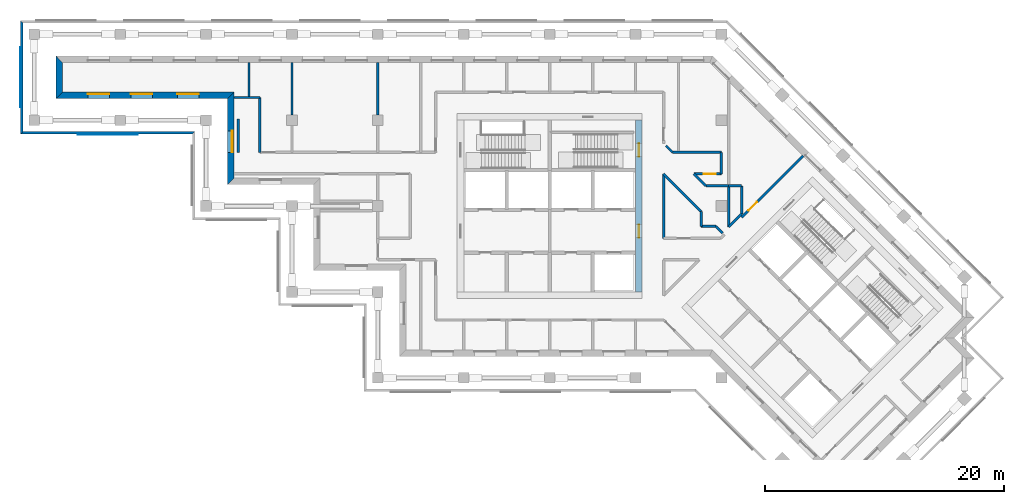
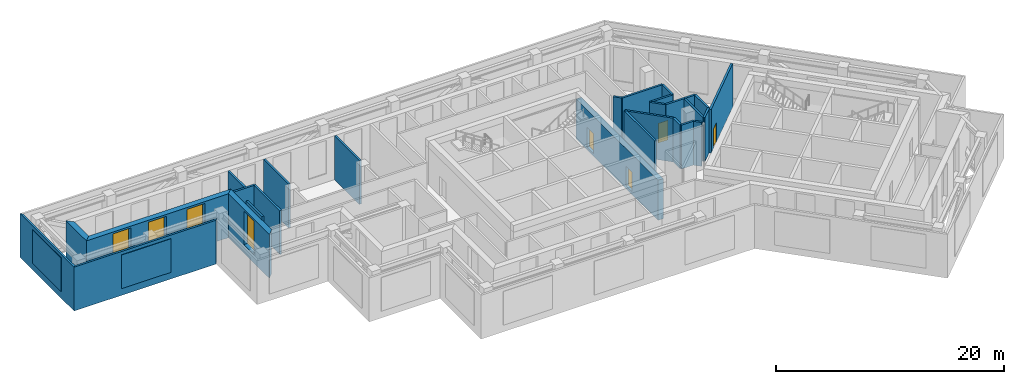
# One storey, part 5 of 10: 28 walls, 4 doors, 4 windows, 2 plates, 8 openings.
"""IFC4 building model written with IfcOpenShell, lengths in metres."""

import ifcopenshell
import ifcopenshell.guid

model = None  # the IFC model being written
_history = None  # IfcOwnerHistory: only IFC2X3 demands one
_inside = {}  # id of a spatial element -> (the spatial element, [elements in it])
_under = {}  # id of a project, library or spatial element -> (it, [spatial elements below it])
_declared = {}  # id of a project -> (the project, [libraries it declares])
_typed = {}  # id of a type object -> (the type object, [elements of that type])
_made_of = {}  # id of a material, layer set ... -> (it, [elements and type objects made of it])


def new_model(schema):
    """Start an empty IFC model of exactly this schema.

    Asked for "IFC4X3", IfcOpenShell would pick the latest addendum, in which some entities
    have other attributes; the version numbers below select the first issue.
    IFC2X3 requires an IfcOwnerHistory on every rooted entity: one is made here for all.
    """
    global model, _history
    if schema == "IFC4X3":
        model = ifcopenshell.file(schema_version=(4, 3, 0, 0))
    else:
        model = ifcopenshell.file(schema=schema)
    _inside.clear()
    _under.clear()
    _declared.clear()
    _typed.clear()
    _made_of.clear()
    _history = None
    if model.schema == "IFC2X3":
        org = make("IfcOrganization", Name="unknown")
        user = make(
            "IfcPersonAndOrganization",
            ThePerson=make("IfcPerson", FamilyName="unknown"),
            TheOrganization=org,
        )
        app = make(
            "IfcApplication",
            ApplicationDeveloper=org,
            Version="unknown",
            ApplicationFullName="unknown",
            ApplicationIdentifier="unknown",
        )
        _history = make(
            "IfcOwnerHistory",
            OwningUser=user,
            OwningApplication=app,
            ChangeAction="ADDED",
            CreationDate=0,
        )
    return model


def make(cls, **values):
    """One entity of the class cls with the attributes given. An attribute that is None is left unset."""
    return model.create_entity(
        cls, **{name: value for name, value in values.items() if value is not None}
    )


def rooted(cls, **values):
    """An entity with a GlobalId (a new one), such as an element, a storey or a relation."""
    return make(cls, GlobalId=ifcopenshell.guid.new(), OwnerHistory=_history, **values)


def si_unit(unit_type, name, prefix=None):
    """IfcSIUnit, for example si_unit("LENGTHUNIT", "METRE", prefix="MILLI")."""
    return make("IfcSIUnit", UnitType=unit_type, Prefix=prefix, Name=name)


def assignment(units):
    """IfcUnitAssignment: the units of a project."""
    return None if units is None else make("IfcUnitAssignment", Units=units)


def point(xyz):
    """IfcCartesianPoint."""
    return None if xyz is None else make("IfcCartesianPoint", Coordinates=xyz)


def direction(xyz):
    """IfcDirection."""
    return None if xyz is None else make("IfcDirection", DirectionRatios=xyz)


def frame(location, z_axis=None, x_axis=None):
    """IfcAxis2Placement3D, a coordinate frame: its origin and axes. An axis left out is left unset."""
    return make(
        "IfcAxis2Placement3D",
        Location=point(location),
        Axis=direction(z_axis),
        RefDirection=direction(x_axis),
    )


def frame_2d(location, x_axis=None):
    """IfcAxis2Placement2D, a coordinate frame in the plane: its origin and x axis."""
    return make(
        "IfcAxis2Placement2D", Location=point(location), RefDirection=direction(x_axis)
    )


def origin():
    """The frame at (0, 0, 0) with its axes left unset."""
    return frame((0.0, 0.0, 0.0))


def place(relative_to, where):
    """IfcLocalPlacement: puts the frame where relative to a parent placement (None: the world)."""
    return make(
        "IfcLocalPlacement", PlacementRelTo=relative_to, RelativePlacement=where
    )


def context(
    kind, dimensions, precision=None, world=None, true_north=None, identifier=None
):
    """IfcGeometricRepresentationContext, for example the 3D "Model" context."""
    return make(
        "IfcGeometricRepresentationContext",
        ContextIdentifier=identifier,
        ContextType=kind,
        CoordinateSpaceDimension=dimensions,
        Precision=precision,
        WorldCoordinateSystem=world,
        TrueNorth=true_north,
    )


def subcontext(parent, identifier, kind, view, scale=None):
    """IfcGeometricRepresentationSubContext, for example "Body" below "Model"."""
    return make(
        "IfcGeometricRepresentationSubContext",
        ContextIdentifier=identifier,
        ContextType=kind,
        ParentContext=parent,
        TargetScale=scale,
        TargetView=view,
    )


def project(units=None, contexts=None):
    """IfcProject with its units and contexts."""
    return rooted(
        "IfcProject",
        Name="project",
        RepresentationContexts=contexts,
        UnitsInContext=assignment(units),
    )


def spatial(cls, under=None, at=None, **own):
    """A site, building, storey or space (cls), placed at a placement, below another one or the project."""
    s = rooted(cls, ObjectPlacement=at, **own)
    if under is not None:
        _under.setdefault(under.id(), (under, []))[1].append(s)
    return s


def polyline(points):
    """IfcPolyline through the points."""
    return make("IfcPolyline", Points=[point(p) for p in points])


def profile(cls, at=None, kind="AREA", **sizes):
    """A parametric profile (cls). Its sizes go by their IFC names, for example OverallWidth=200.0."""
    return make(cls, ProfileType=kind, Position=at, **sizes)


def rectangle(**sizes):
    """IfcRectangleProfileDef."""
    return profile("IfcRectangleProfileDef", **sizes)


def outline(outer, holes=None, kind="AREA"):
    """IfcArbitraryClosedProfileDef: a profile drawn as a closed curve; with holes, ...WithVoids."""
    if holes is None:
        return make("IfcArbitraryClosedProfileDef", ProfileType=kind, OuterCurve=outer)
    return make(
        "IfcArbitraryProfileDefWithVoids",
        ProfileType=kind,
        OuterCurve=outer,
        InnerCurves=holes,
    )


def extrude(swept, where, along, depth):
    """IfcExtrudedAreaSolid: the profile swept, set in the frame where, extruded along a direction by depth."""
    return make(
        "IfcExtrudedAreaSolid",
        SweptArea=swept,
        Position=where,
        ExtrudedDirection=direction(along),
        Depth=depth,
    )


def shape(context_of_items, identifier, shape_type, items):
    """IfcShapeRepresentation: the items that make up one representation, for example the "Body"."""
    return make(
        "IfcShapeRepresentation",
        ContextOfItems=context_of_items,
        RepresentationIdentifier=identifier,
        RepresentationType=shape_type,
        Items=items,
    )


def material(Name=None, Category=None):
    """IfcMaterial."""
    return make("IfcMaterial", Name=Name, Category=Category)


def layer(
    of_material, thickness, ventilated=None, Name=None, Category=None, Priority=None
):
    """IfcMaterialLayer: one layer of a wall or slab, of a material (None: an air gap)."""
    return make(
        "IfcMaterialLayer",
        Material=of_material,
        LayerThickness=thickness,
        IsVentilated=ventilated,
        Name=Name,
        Category=Category,
        Priority=Priority,
    )


def layer_set(layers, Name=None):
    """IfcMaterialLayerSet."""
    return make("IfcMaterialLayerSet", MaterialLayers=layers, LayerSetName=Name)


def made_of(thing, what):
    """Note that an element or type object is made of a material, layer set ...; save() writes the relation."""
    if what is not None:
        _made_of.setdefault(what.id(), (what, []))[1].append(thing)
    return thing


def type_object(cls, material=None, **own):
    """A type object (cls), such as IfcWallType, which elements share."""
    return made_of(rooted(cls, **own), material)


def element(
    cls,
    number,
    at=None,
    inside=None,
    cuts=None,
    type_object=None,
    material=None,
    context=None,
    identifier="Body",
    shape_type=None,
    held_by="IfcProductDefinitionShape",
    body=None,
    shapes=None,
    **own,
):
    """One element of the class cls, such as IfcWall. Its Tag is "e" and its number.

    at: its placement. inside: the storey or other place that contains it. cuts: it is an
    opening in that element (IfcRelVoidsElement). A single representation is given by context,
    identifier, shape_type and body (its items); several are given by shapes. held_by: the class
    of the entity that holds the representations. save() writes the other relations.
    """
    e = rooted(cls, Tag="e%d" % number, ObjectPlacement=at, **own)
    if body is not None:
        shapes = [shape(context, identifier, shape_type, body)]
    if shapes is not None:
        e.Representation = make(held_by, Representations=shapes)
    if inside is not None:
        _inside.setdefault(inside.id(), (inside, []))[1].append(e)
    if cuts is not None:
        rooted(
            "IfcRelVoidsElement", RelatingBuildingElement=cuts, RelatedOpeningElement=e
        )
    if type_object is not None:
        _typed.setdefault(type_object.id(), (type_object, []))[1].append(e)
    return made_of(e, material)


def fill(opening, filler):
    """IfcRelFillsElement: the door or window that sits in an opening."""
    return rooted(
        "IfcRelFillsElement",
        RelatingOpeningElement=opening,
        RelatedBuildingElement=filler,
    )


def aggregate(whole, parts):
    """IfcRelAggregates: a whole, such as a stair, and the parts it consists of."""
    return rooted("IfcRelAggregates", RelatingObject=whole, RelatedObjects=parts)


def save(model, path):
    """Write the relations noted so far, then the file.

    IfcRelAggregates (storeys below a building ...), IfcRelContainedInSpatialStructure (elements
    in a storey), IfcRelDefinesByType, IfcRelAssociatesMaterial and IfcRelDeclares: one each for
    every whole, place, type object, material and project.
    """
    for whole, parts in _under.values():
        aggregate(whole, parts)
    for where, things in _inside.values():
        rooted(
            "IfcRelContainedInSpatialStructure",
            RelatedElements=things,
            RelatingStructure=where,
        )
    for kind, things in _typed.values():
        rooted("IfcRelDefinesByType", RelatedObjects=things, RelatingType=kind)
    for what, things in _made_of.values():
        rooted("IfcRelAssociatesMaterial", RelatedObjects=things, RelatingMaterial=what)
    for by, libraries in _declared.values():
        rooted("IfcRelDeclares", RelatingContext=by, RelatedDefinitions=libraries)
    model.write(path)


model = new_model("IFC4")

# Units and contexts
model_context = context("Model", 3, precision=1e-05, world=origin(), true_north=direction((0.0, 1.0)))
body_context = subcontext(model_context, "Body", "Model", "MODEL_VIEW")
ifc_project = project(units=[si_unit("LENGTHUNIT", "METRE"), si_unit("AREAUNIT", "SQUARE_METRE"), si_unit("VOLUMEUNIT", "CUBIC_METRE"), si_unit("PLANEANGLEUNIT", "RADIAN"), si_unit("MASSUNIT", "GRAM", prefix="KILO")], contexts=[model_context])

# Plate
ifc_material_1 = material(Name="Aluminium louvre", Category="aluminium")
ifc_layer_1 = layer(ifc_material_1, 0.05)
ifc_layer_set_1 = layer_set([ifc_layer_1], Name="Belt louvre panel 5000x3600")
plate_type = type_object("IfcPlateType", Name="Belt louvre panel 5000x3600", PredefinedType="SHEET", material=ifc_layer_set_1)
site_placement = place(None, origin())
building_placement = place(site_placement, origin())
storey_placement = place(building_placement, frame((0.0, 0.0, 180.4)))
plate_1_placement = place(storey_placement, frame((20.4, 70.9, 0.75), z_axis=(-1.0, 0.0, 0.0), x_axis=(0.0, -1.0, 0.0)))
plate_1 = element("IfcPlate", 1, at=plate_1_placement, type_object=plate_type, Name="Belt louvre panel L49 35.1", PredefinedType="SHEET", context=body_context, shape_type="SweptSolid", body=[
    extrude(outline(polyline([(0.0, 0.0), (5.0, 0.0), (5.0, 3.6), (0.0, 3.6), (0.0, 0.0)])), origin(), (0.0, 0.0, -1.0), 0.05),
])

plate_2_placement = place(storey_placement, frame((25.25, 63.6, 0.75), z_axis=(0.0, -1.0, 0.0), x_axis=(1.0, 0.0, 0.0)))
plate_2 = element("IfcPlate", 2, at=plate_2_placement, type_object=plate_type, Name="Belt louvre panel L49 39.1", PredefinedType="SHEET", context=body_context, shape_type="SweptSolid", body=[
    extrude(outline(polyline([(0.0, 0.0), (5.0, 0.0), (5.0, 3.6), (0.0, 3.6), (0.0, 0.0)])), origin(), (0.0, 0.0, -1.0), 0.05),
])

# Site, building, storey
site = spatial("IfcSite", under=ifc_project, at=site_placement, CompositionType="ELEMENT")
building = spatial("IfcBuilding", under=site, at=building_placement, Name="Windrow Commons", CompositionType="ELEMENT")
storey = spatial("IfcBuildingStorey", under=building, at=storey_placement, Name="L49", CompositionType="ELEMENT", Elevation=180.4)

# Wall
ifc_material_2 = material(Name="Concrete C40/50 precast screen panel", Category="concrete")
ifc_layer_2 = layer(ifc_material_2, 0.2)
ifc_layer_set_2 = layer_set([ifc_layer_2], Name="Belt screen wall 200")
wall_type_1 = type_object("IfcWallType", Name="Belt screen wall 200", PredefinedType="SOLIDWALL", material=ifc_layer_set_2)
wall_1_placement = place(storey_placement, frame((20.55, 73.05, 0.0), z_axis=(0.0, 0.0, 1.0), x_axis=(0.0, -1.0, 0.0)))
wall_1 = element("IfcWall", 3, at=wall_1_placement, inside=storey, type_object=wall_type_1, Name="Belt screen wall L49 35", PredefinedType="SOLIDWALL", context=body_context, shape_type="SweptSolid", body=[
    extrude(outline(polyline([(-0.1, -0.1), (9.4, -0.1), (9.2, 0.1), (0.1, 0.1), (-0.1, -0.1)])), origin(), (0.0, 0.0, 1.0), 4.7),
])

aggregate(wall_1, [plate_1])

wall_2_placement = place(storey_placement, frame((20.55, 63.75, 0.0), z_axis=(0.0, 0.0, 1.0), x_axis=(1.0, 0.0, 0.0)))
wall_2 = element("IfcWall", 4, at=wall_2_placement, inside=storey, type_object=wall_type_1, Name="Belt screen wall L49 39", PredefinedType="SOLIDWALL", context=body_context, shape_type="SweptSolid", body=[
    extrude(outline(polyline([(-0.1, -0.1), (14.3, -0.1), (14.5, 0.1), (0.1, 0.1), (-0.1, -0.1)])), origin(), (0.0, 0.0, 1.0), 4.7),
])

aggregate(wall_2, [plate_2])

ifc_material_3 = material(Name="Brick masonry, red clay brick", Category="masonry")
ifc_layer_3 = layer(ifc_material_3, 0.55)
ifc_layer_set_3 = layer_set([ifc_layer_3], Name="Brick facade wall 550")
wall_type_2 = type_object("IfcWallType", Name="Brick facade wall 550", PredefinedType="SOLIDWALL", material=ifc_layer_set_3)
wall_3_placement = place(storey_placement, frame((23.675, 69.925, 0.0), z_axis=(0.0, 0.0, 1.0), x_axis=(0.0, -1.0, 0.0)))
element("IfcWall", 5, at=wall_3_placement, inside=storey, type_object=wall_type_2, Name="Brick facade wall L49 5", PredefinedType="SOLIDWALL", context=body_context, shape_type="SweptSolid", body=[
    extrude(outline(polyline([(-0.275, -0.275), (3.325, -0.275), (2.775, 0.275), (0.275, 0.275), (-0.275, -0.275)])), origin(), (0.0, 0.0, 1.0), 4.7),
])

# Wall, openings, windows
wall_4_placement = place(storey_placement, frame((23.675, 66.875, 0.0), z_axis=(0.0, 0.0, 1.0), x_axis=(1.0, 0.0, 0.0)))
wall_4 = element("IfcWall", 6, at=wall_4_placement, inside=storey, type_object=wall_type_2, Name="Brick facade wall L49 6", PredefinedType="SOLIDWALL", context=body_context, shape_type="SweptSolid", body=[
    extrude(outline(polyline([(-0.275, -0.275), (14.125, -0.275), (14.675, 0.275), (0.275, 0.275), (-0.275, -0.275)])), origin(), (0.0, 0.0, 1.0), 4.7),
])
opening_1_placement = place(wall_4_placement, frame((2.425, 0.0, 0.9)))
opening_1 = element("IfcOpeningElement", 7, at=opening_1_placement, cuts=wall_4, Name="Opening LV2", PredefinedType="OPENING", context=body_context, shape_type="SweptSolid", body=[
    extrude(rectangle(XDim=1.8, YDim=3.6, at=frame_2d((0.9, 1.8))), frame((0.0, 0.285, 0.0), z_axis=(0.0, -1.0, 0.0), x_axis=(1.0, 0.0, 0.0)), (0.0, 0.0, 1.0), 0.57),
])
opening_2_placement = place(wall_4_placement, frame((6.025, 0.0, 0.9)))
opening_2 = element("IfcOpeningElement", 8, at=opening_2_placement, cuts=wall_4, Name="Opening LV2", PredefinedType="OPENING", context=body_context, shape_type="SweptSolid", body=[
    extrude(rectangle(XDim=1.8, YDim=3.6, at=frame_2d((0.9, 1.8))), frame((0.0, 0.285, 0.0), z_axis=(0.0, -1.0, 0.0), x_axis=(1.0, 0.0, 0.0)), (0.0, 0.0, 1.0), 0.57),
])
opening_3_placement = place(wall_4_placement, frame((9.925, 0.0, 0.9)))
opening_3 = element("IfcOpeningElement", 9, at=opening_3_placement, cuts=wall_4, Name="Opening LV2", PredefinedType="OPENING", context=body_context, shape_type="SweptSolid", body=[
    extrude(rectangle(XDim=1.8, YDim=3.6, at=frame_2d((0.9, 1.8))), frame((0.0, 0.285, 0.0), z_axis=(0.0, -1.0, 0.0), x_axis=(1.0, 0.0, 0.0)), (0.0, 0.0, 1.0), 0.57),
])
ifc_material_4 = material(Name="Aluminium 6063-T6 anodised louvre", Category="aluminium")
window_type = type_object("IfcWindowType", Name="Plant louvre 1800x3600", PartitioningType="SINGLE_PANEL", PredefinedType="WINDOW", material=ifc_material_4)
window_1_placement = place(opening_1_placement, origin())
window_1 = element("IfcWindow", 10, at=window_1_placement, inside=storey, type_object=window_type, Name="Louvre L49 6.1", OverallHeight=3.6, OverallWidth=1.8, PartitioningType="SINGLE_PANEL", PredefinedType="WINDOW", context=body_context, shape_type="SweptSolid", body=[
    extrude(rectangle(XDim=1.8, YDim=3.6, at=frame_2d((0.9, 1.8))), frame((0.0, 0.155, 0.0), z_axis=(0.0, -1.0, 0.0), x_axis=(1.0, 0.0, 0.0)), (0.0, 0.0, 1.0), 0.06),
])
fill(opening_1, window_1)
window_2_placement = place(opening_2_placement, origin())
window_2 = element("IfcWindow", 11, at=window_2_placement, inside=storey, type_object=window_type, Name="Louvre L49 6.2", OverallHeight=3.6, OverallWidth=1.8, PartitioningType="SINGLE_PANEL", PredefinedType="WINDOW", context=body_context, shape_type="SweptSolid", body=[
    extrude(rectangle(XDim=1.8, YDim=3.6, at=frame_2d((0.9, 1.8))), frame((0.0, 0.155, 0.0), z_axis=(0.0, -1.0, 0.0), x_axis=(1.0, 0.0, 0.0)), (0.0, 0.0, 1.0), 0.06),
])
fill(opening_2, window_2)
window_3_placement = place(opening_3_placement, origin())
window_3 = element("IfcWindow", 12, at=window_3_placement, inside=storey, type_object=window_type, Name="Louvre L49 6.3", OverallHeight=3.6, OverallWidth=1.8, PartitioningType="SINGLE_PANEL", PredefinedType="WINDOW", context=body_context, shape_type="SweptSolid", body=[
    extrude(rectangle(XDim=1.8, YDim=3.6, at=frame_2d((0.9, 1.8))), frame((0.0, 0.155, 0.0), z_axis=(0.0, -1.0, 0.0), x_axis=(1.0, 0.0, 0.0)), (0.0, 0.0, 1.0), 0.06),
])
fill(opening_3, window_3)

# Wall, opening, window
wall_5_placement = place(storey_placement, frame((38.075, 66.875, 0.0), z_axis=(0.0, 0.0, 1.0), x_axis=(0.0, -1.0, 0.0)))
wall_5 = element("IfcWall", 13, at=wall_5_placement, inside=storey, type_object=wall_type_2, Name="Brick facade wall L49 7", PredefinedType="SOLIDWALL", context=body_context, shape_type="SweptSolid", body=[
    extrude(outline(polyline([(0.275, -0.275), (7.475, -0.275), (6.925, 0.275), (-0.275, 0.275), (0.275, -0.275)])), origin(), (0.0, 0.0, 1.0), 4.7),
])
opening_4_placement = place(wall_5_placement, frame((2.975, 0.0, 0.9)))
opening_4 = element("IfcOpeningElement", 14, at=opening_4_placement, cuts=wall_5, Name="Opening LV2", PredefinedType="OPENING", context=body_context, shape_type="SweptSolid", body=[
    extrude(rectangle(XDim=1.8, YDim=3.6, at=frame_2d((0.9, 1.8))), frame((0.0, 0.285, 0.0), z_axis=(0.0, -1.0, 0.0), x_axis=(1.0, 0.0, 0.0)), (0.0, 0.0, 1.0), 0.57),
])
window_4_placement = place(opening_4_placement, origin())
window_4 = element("IfcWindow", 15, at=window_4_placement, inside=storey, type_object=window_type, Name="Louvre L49 7.1", OverallHeight=3.6, OverallWidth=1.8, PartitioningType="SINGLE_PANEL", PredefinedType="WINDOW", context=body_context, shape_type="SweptSolid", body=[
    extrude(rectangle(XDim=1.8, YDim=3.6, at=frame_2d((0.9, 1.8))), frame((0.0, 0.155, 0.0), z_axis=(0.0, -1.0, 0.0), x_axis=(1.0, 0.0, 0.0)), (0.0, 0.0, 1.0), 0.06),
])
fill(opening_4, window_4)

# Wall, opening, door
ifc_material_5 = material(Name="Blockwork partition", Category="masonry")
ifc_layer_4 = layer(ifc_material_5, 0.2)
ifc_layer_set_4 = layer_set([ifc_layer_4], Name="IW-CORRIDOR-200")
wall_type_3 = type_object("IfcWallType", Name="IW-CORRIDOR-200", PredefinedType="PARTITIONING", material=ifc_layer_set_4)
wall_6_placement = place(storey_placement, frame((80.9015, 56.6605, 0.0), z_axis=(0.0, 0.0, 1.0), x_axis=(0.7069628018, 0.7072507313, 0.0)))
wall_6 = element("IfcWall", 16, at=wall_6_placement, inside=storey, type_object=wall_type_3, Name="W-L49-W011", PredefinedType="PARTITIONING", context=body_context, shape_type="SweptSolid", body=[
    extrude(rectangle(XDim=7.2935, YDim=0.2, at=frame_2d((3.6467, 0.0))), origin(), (0.0, 0.0, 1.0), 4.7),
])
opening_5_placement = place(wall_6_placement, frame((0.8154, 0.0, 0.0)))
opening_5 = element("IfcOpeningElement", 17, at=opening_5_placement, cuts=wall_6, Name="Opening D410F", PredefinedType="OPENING", context=body_context, shape_type="SweptSolid", body=[
    extrude(rectangle(XDim=1.0, YDim=2.1, at=frame_2d((0.5, 1.05))), frame((0.0, 0.11, 0.0), z_axis=(0.0, -1.0, 0.0), x_axis=(1.0, 0.0, 0.0)), (0.0, 0.0, 1.0), 0.22),
])
ifc_material_6 = material(Name="Timber door leaf", Category="wood")
door_type_1 = type_object("IfcDoorType", Name="DT-SERVICE-1000", OperationType="SINGLE_SWING_LEFT", PredefinedType="DOOR", material=ifc_material_6)
door_1_placement = place(opening_5_placement, origin())
door_1 = element("IfcDoor", 18, at=door_1_placement, inside=storey, type_object=door_type_1, Name="D-L49-D021", OperationType="SINGLE_SWING_RIGHT", OverallHeight=2.1, OverallWidth=1.0, PredefinedType="DOOR", context=body_context, shape_type="SweptSolid", body=[
    extrude(rectangle(XDim=1.0, YDim=2.1, at=frame_2d((0.5, 1.05))), frame((0.0, 0.025, 0.0), z_axis=(0.0, -1.0, 0.0), x_axis=(1.0, 0.0, 0.0)), (0.0, 0.0, 1.0), 0.05),
])
fill(opening_5, door_1)

# Walls
wall_7_placement = place(storey_placement, frame((74.35, 54.9, 0.0), z_axis=(0.0, 0.0, 1.0), x_axis=(0.0, 1.0, 0.0)))
element("IfcWall", 19, at=wall_7_placement, inside=storey, type_object=wall_type_3, Name="W-L49-W012", PredefinedType="PARTITIONING", context=body_context, shape_type="SweptSolid", body=[
    extrude(rectangle(XDim=5.402, YDim=0.2, at=frame_2d((2.701, 0.0))), origin(), (0.0, 0.0, 1.0), 4.7),
])
wall_8_placement = place(storey_placement, frame((40.5, 62.102, 0.0), z_axis=(0.0, 0.0, 1.0), x_axis=(0.0, 1.0, 0.0)))
element("IfcWall", 20, at=wall_8_placement, inside=storey, type_object=wall_type_3, Name="W-L49-W018", PredefinedType="PARTITIONING", context=body_context, shape_type="SweptSolid", body=[
    extrude(rectangle(XDim=4.598, YDim=0.2, at=frame_2d((2.299, 0.0))), origin(), (0.0, 0.0, 1.0), 4.7),
])
wall_9_placement = place(storey_placement, frame((74.3486, 60.2986, 0.0), z_axis=(0.0, 0.0, 1.0), x_axis=(0.7071067812, -0.7071067812, 0.0)))
element("IfcWall", 21, at=wall_9_placement, inside=storey, type_object=wall_type_3, Name="W-L49-W019", PredefinedType="PARTITIONING", context=body_context, shape_type="SweptSolid", body=[
    extrude(rectangle(XDim=4.4519, YDim=0.2, at=frame_2d((2.226, 0.0))), origin(), (0.0, 0.0, 1.0), 4.7),
])
wall_10_placement = place(storey_placement, frame((75.1, 62.1, 0.0), z_axis=(0.0, 0.0, 1.0), x_axis=(1.0, 0.0, 0.0)))
element("IfcWall", 22, at=wall_10_placement, inside=storey, type_object=wall_type_3, Name="W-L49-W026", PredefinedType="PARTITIONING", context=body_context, shape_type="SweptSolid", body=[
    extrude(rectangle(XDim=4.1, YDim=0.2, at=frame_2d((2.05, 0.0))), origin(), (0.0, 0.0, 1.0), 4.7),
])
wall_11_placement = place(storey_placement, frame((79.8, 55.844, 0.0), z_axis=(0.0, 0.0, 1.0), x_axis=(0.0, 1.0, 0.0)))
element("IfcWall", 23, at=wall_11_placement, inside=storey, type_object=wall_type_3, Name="W-L49-W028", PredefinedType="PARTITIONING", context=body_context, shape_type="SweptSolid", body=[
    extrude(rectangle(XDim=3.456, YDim=0.2, at=frame_2d((1.728, 0.0))), origin(), (0.0, 0.0, 1.0), 4.7),
])
wall_12_placement = place(storey_placement, frame((38.7, 62.102, 0.0), z_axis=(0.0, 0.0, 1.0), x_axis=(0.0, 1.0, 0.0)))
element("IfcWall", 24, at=wall_12_placement, inside=storey, type_object=wall_type_3, Name="W-L49-W032", PredefinedType="PARTITIONING", context=body_context, shape_type="SweptSolid", body=[
    extrude(rectangle(XDim=2.796, YDim=0.2, at=frame_2d((1.398, 0.0))), origin(), (0.0, 0.0, 1.0), 4.7),
])

# Wall, opening, door
wall_13_placement = place(storey_placement, frame((76.902, 60.3, 0.0), z_axis=(0.0, 0.0, 1.0), x_axis=(1.0, 0.0, 0.0)))
wall_13 = element("IfcWall", 25, at=wall_13_placement, inside=storey, type_object=wall_type_3, Name="W-L49-W046", PredefinedType="PARTITIONING", context=body_context, shape_type="SweptSolid", body=[
    extrude(rectangle(XDim=2.296, YDim=0.2, at=frame_2d((1.148, 0.0))), origin(), (0.0, 0.0, 1.0), 4.7),
])
opening_6_placement = place(wall_13_placement, frame((0.8254, 0.0, 0.0)))
opening_6 = element("IfcOpeningElement", 26, at=opening_6_placement, cuts=wall_13, Name="Opening D410F", PredefinedType="OPENING", context=body_context, shape_type="SweptSolid", body=[
    extrude(rectangle(XDim=1.0, YDim=2.1, at=frame_2d((0.5, 1.05))), frame((0.0, 0.11, 0.0), z_axis=(0.0, -1.0, 0.0), x_axis=(1.0, 0.0, 0.0)), (0.0, 0.0, 1.0), 0.22),
])
door_2_placement = place(opening_6_placement, origin())
door_2 = element("IfcDoor", 27, at=door_2_placement, inside=storey, type_object=door_type_1, Name="D-L49-D020", OperationType="SINGLE_SWING_LEFT", OverallHeight=2.1, OverallWidth=1.0, PredefinedType="DOOR", context=body_context, shape_type="SweptSolid", body=[
    extrude(rectangle(XDim=1.0, YDim=2.1, at=frame_2d((0.5, 1.05))), frame((0.0, 0.025, 0.0), z_axis=(0.0, -1.0, 0.0), x_axis=(1.0, 0.0, 0.0)), (0.0, 0.0, 1.0), 0.05),
])
fill(opening_6, door_2)

# Walls
wall_14_placement = place(storey_placement, frame((38.35, 66.7, 0.0), z_axis=(0.0, 0.0, 1.0), x_axis=(1.0, 0.0, 0.0)))
element("IfcWall", 28, at=wall_14_placement, inside=storey, type_object=wall_type_3, Name="W-L49-W052", PredefinedType="PARTITIONING", context=body_context, shape_type="SweptSolid", body=[
    extrude(rectangle(XDim=2.15, YDim=0.2, at=frame_2d((1.075, 0.0))), origin(), (0.0, 0.0, 1.0), 4.7),
])
wall_15_placement = place(storey_placement, frame((77.9, 59.3, 0.0), z_axis=(0.0, 0.0, 1.0), x_axis=(1.0, 0.0, 0.0)))
element("IfcWall", 29, at=wall_15_placement, inside=storey, type_object=wall_type_3, Name="W-L49-W053", PredefinedType="PARTITIONING", context=body_context, shape_type="SweptSolid", body=[
    extrude(rectangle(XDim=1.9, YDim=0.2, at=frame_2d((0.95, 0.0))), origin(), (0.0, 0.0, 1.0), 4.7),
])
wall_16_placement = place(storey_placement, frame((79.2, 60.302, 0.0), z_axis=(0.0, 0.0, 1.0), x_axis=(0.0, 1.0, 0.0)))
element("IfcWall", 30, at=wall_16_placement, inside=storey, type_object=wall_type_3, Name="W-L49-W055", PredefinedType="PARTITIONING", context=body_context, shape_type="SweptSolid", body=[
    extrude(rectangle(XDim=1.798, YDim=0.2, at=frame_2d((0.899, 0.0))), origin(), (0.0, 0.0, 1.0), 4.7),
])
wall_17_placement = place(storey_placement, frame((79.8014, 55.8446, 0.0), z_axis=(0.0, 0.0, 1.0), x_axis=(0.7071067812, 0.7071067812, 0.0)))
element("IfcWall", 31, at=wall_17_placement, inside=storey, type_object=wall_type_3, Name="W-L49-W056", PredefinedType="PARTITIONING", context=body_context, shape_type="SweptSolid", body=[
    extrude(rectangle(XDim=1.5528, YDim=0.2, at=frame_2d((0.7764, 0.0))), origin(), (0.0, 0.0, 1.0), 4.7),
])
wall_18_placement = place(storey_placement, frame((76.9033, 60.3013, 0.0), z_axis=(0.0, 0.0, 1.0), x_axis=(0.7063986127, -0.7078142412, 0.0)))
element("IfcWall", 32, at=wall_18_placement, inside=storey, type_object=wall_type_3, Name="W-L49-W057", PredefinedType="PARTITIONING", context=body_context, shape_type="SweptSolid", body=[
    extrude(rectangle(XDim=1.4128, YDim=0.2, at=frame_2d((0.7064, 0.0))), origin(), (0.0, 0.0, 1.0), 4.7),
])
wall_19_placement = place(storey_placement, frame((77.5, 55.9, 0.0), z_axis=(0.0, 0.0, 1.0), x_axis=(0.0, 1.0, 0.0)))
element("IfcWall", 33, at=wall_19_placement, inside=storey, type_object=wall_type_3, Name="W-L49-W058", PredefinedType="PARTITIONING", context=body_context, shape_type="SweptSolid", body=[
    extrude(rectangle(XDim=1.254, YDim=0.2, at=frame_2d((0.627, 0.0))), origin(), (0.0, 0.0, 1.0), 4.7),
])
wall_20_placement = place(storey_placement, frame((77.502, 55.9, 0.0), z_axis=(0.0, 0.0, 1.0), x_axis=(1.0, 0.0, 0.0)))
element("IfcWall", 34, at=wall_20_placement, inside=storey, type_object=wall_type_3, Name="W-L49-W059", PredefinedType="PARTITIONING", context=body_context, shape_type="SweptSolid", body=[
    extrude(rectangle(XDim=1.252, YDim=0.2, at=frame_2d((0.626, 0.0))), origin(), (0.0, 0.0, 1.0), 4.7),
])
wall_21_placement = place(storey_placement, frame((78.7506, 55.8966, 0.0), z_axis=(0.0, 0.0, 1.0), x_axis=(0.7071067812, -0.7071067812, 0.0)))
element("IfcWall", 35, at=wall_21_placement, inside=storey, type_object=wall_type_3, Name="W-L49-W061", PredefinedType="PARTITIONING", context=body_context, shape_type="SweptSolid", body=[
    extrude(rectangle(XDim=0.7806, YDim=0.2, at=frame_2d((0.3903, 0.0))), origin(), (0.0, 0.0, 1.0), 4.7),
])
wall_22_placement = place(storey_placement, frame((74.5535, 62.6535, 0.0), z_axis=(0.0, 0.0, 1.0), x_axis=(0.7071067812, -0.7071067812, 0.0)))
element("IfcWall", 36, at=wall_22_placement, inside=storey, type_object=wall_type_3, Name="W-L49-W062", PredefinedType="PARTITIONING", context=body_context, shape_type="SweptSolid", body=[
    extrude(rectangle(XDim=0.7778, YDim=0.2, at=frame_2d((0.3889, 0.0))), origin(), (0.0, 0.0, 1.0), 4.7),
])
ifc_material_7 = material(Name="Blockwork partition", Category="masonry")
ifc_layer_5 = layer(ifc_material_7, 0.2)
ifc_layer_set_5 = layer_set([ifc_layer_5], Name="IW-PARTY-200")
wall_type_4 = type_object("IfcWallType", Name="IW-PARTY-200", PredefinedType="PARTITIONING", material=ifc_layer_set_5)
for number, where, z_axis, x_axis, name in (
    (37, (43.2, 65.25, 0.0), (0.0, 0.0, 1.0), (0.0, 1.0, 0.0), "W-L49-W022"),
    (38, (50.4, 65.25, 0.0), (0.0, 0.0, 1.0), (0.0, 1.0, 0.0), "W-L49-W023"),
):
    element("IfcWall", number, at=place(storey_placement, frame(where, z_axis=z_axis, x_axis=x_axis)), inside=storey, type_object=wall_type_4, Name=name, PredefinedType="PARTITIONING", context=body_context, shape_type="SweptSolid", body=[
        extrude(rectangle(XDim=4.4, YDim=0.2, at=frame_2d((2.2, 0.0))), origin(), (0.0, 0.0, 1.0), 4.7),
    ])
wall_23_placement = place(storey_placement, frame((39.6, 66.7, 0.0), z_axis=(0.0, 0.0, 1.0), x_axis=(0.0, 1.0, 0.0)))
element("IfcWall", 39, at=wall_23_placement, inside=storey, type_object=wall_type_4, Name="W-L49-W031", PredefinedType="PARTITIONING", context=body_context, shape_type="SweptSolid", body=[
    extrude(rectangle(XDim=2.95, YDim=0.2, at=frame_2d((1.475, 0.0))), origin(), (0.0, 0.0, 1.0), 4.7),
])
wall_24_placement = place(storey_placement, frame((80.9, 56.942, 0.0), z_axis=(0.0, 0.0, 1.0), x_axis=(0.0, 1.0, 0.0)))
element("IfcWall", 40, at=wall_24_placement, inside=storey, type_object=wall_type_4, Name="W-L49-W045", PredefinedType="PARTITIONING", context=body_context, shape_type="SweptSolid", body=[
    extrude(rectangle(XDim=2.356, YDim=0.2, at=frame_2d((1.178, 0.0))), origin(), (0.0, 0.0, 1.0), 4.7),
])
wall_25_placement = place(storey_placement, frame((79.8, 59.3, 0.0), z_axis=(0.0, 0.0, 1.0), x_axis=(1.0, 0.0, 0.0)))
element("IfcWall", 41, at=wall_25_placement, inside=storey, type_object=wall_type_4, Name="W-L49-W060", PredefinedType="PARTITIONING", context=body_context, shape_type="SweptSolid", body=[
    extrude(rectangle(XDim=1.098, YDim=0.2, at=frame_2d((0.549, 0.0))), origin(), (0.0, 0.0, 1.0), 4.7),
])

# Wall, openings, doors
ifc_material_8 = material(Name="Concrete C50/60", Category="concrete")
ifc_layer_6 = layer(ifc_material_8, 0.55)
ifc_layer_set_6 = layer_set([ifc_layer_6], Name="RC CORE WALL 550 C50/60")
wall_type_5 = type_object("IfcWallType", Name="RC CORE WALL 550 C50/60", PredefinedType="SHEAR", material=ifc_layer_set_6)
wall_26_placement = place(storey_placement, frame((72.275, 50.4, -0.3), z_axis=(0.0, 0.0, 1.0), x_axis=(0.0, 1.0, 0.0)))
wall_26 = element("IfcWall", 42, at=wall_26_placement, inside=storey, type_object=wall_type_5, Name="Core A wall outer-E", PredefinedType="SHEAR", context=body_context, shape_type="SweptSolid", body=[
    extrude(rectangle(XDim=14.4, YDim=0.55, at=frame_2d((7.2, 0.0))), origin(), (0.0, 0.0, 1.0), 4.3),
])
opening_7_placement = place(wall_26_placement, frame((4.55, 0.0, 0.3)))
opening_7 = element("IfcOpeningElement", 43, at=opening_7_placement, cuts=wall_26, Name="Opening D6", PredefinedType="OPENING", context=body_context, shape_type="SweptSolid", body=[
    extrude(rectangle(XDim=1.1, YDim=2.1, at=frame_2d((0.55, 1.05))), frame((0.0, 0.285, 0.0), z_axis=(0.0, -1.0, 0.0), x_axis=(1.0, 0.0, 0.0)), (0.0, 0.0, 1.0), 0.57),
])
opening_8_placement = place(wall_26_placement, frame((11.35, 0.0, 0.3)))
opening_8 = element("IfcOpeningElement", 44, at=opening_8_placement, cuts=wall_26, Name="Opening D7", PredefinedType="OPENING", context=body_context, shape_type="SweptSolid", body=[
    extrude(rectangle(XDim=1.1, YDim=2.1, at=frame_2d((0.55, 1.05))), frame((0.0, 0.285, 0.0), z_axis=(0.0, -1.0, 0.0), x_axis=(1.0, 0.0, 0.0)), (0.0, 0.0, 1.0), 0.57),
])
ifc_material_9 = material(Name="Steel fire door leaf", Category="steel")
door_type_2 = type_object("IfcDoorType", Name="Core lobby door 1100", OperationType="SINGLE_SWING_LEFT", PredefinedType="DOOR", material=ifc_material_9)
door_3_placement = place(opening_7_placement, origin())
door_3 = element("IfcDoor", 45, at=door_3_placement, inside=storey, type_object=door_type_2, Name="Lift lobby door", OperationType="DOUBLE_DOOR_SINGLE_SWING", OverallHeight=2.1, OverallWidth=1.1, PredefinedType="DOOR", context=body_context, shape_type="SweptSolid", body=[
    extrude(rectangle(XDim=1.1, YDim=2.1, at=frame_2d((0.55, 1.05))), frame((0.0, 0.025, 0.0), z_axis=(0.0, -1.0, 0.0), x_axis=(1.0, 0.0, 0.0)), (0.0, 0.0, 1.0), 0.05),
])
fill(opening_7, door_3)
ifc_material_10 = material(Name="Steel fire door leaf", Category="steel")
door_type_3 = type_object("IfcDoorType", Name="Stair door 1100", OperationType="SINGLE_SWING_LEFT", PredefinedType="DOOR", material=ifc_material_10)
door_4_placement = place(opening_8_placement, origin())
door_4 = element("IfcDoor", 46, at=door_4_placement, inside=storey, type_object=door_type_3, Name="Stair door", OperationType="SINGLE_SWING_RIGHT", OverallHeight=2.1, OverallWidth=1.1, PredefinedType="DOOR", context=body_context, shape_type="SweptSolid", body=[
    extrude(rectangle(XDim=1.1, YDim=2.1, at=frame_2d((0.55, 1.05))), frame((0.0, 0.025, 0.0), z_axis=(0.0, -1.0, 0.0), x_axis=(1.0, 0.0, 0.0)), (0.0, 0.0, 1.0), 0.05),
])
fill(opening_8, door_4)

save(model, "model.ifc")
